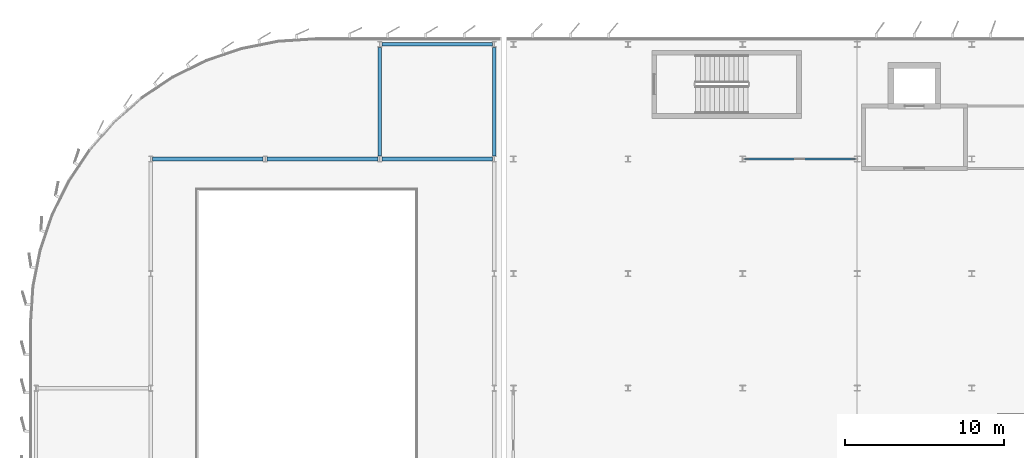
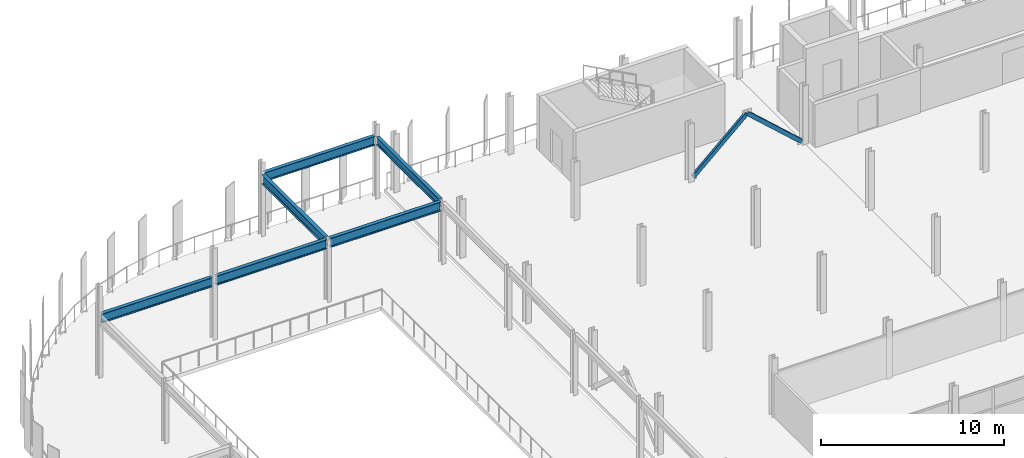
# One storey, part 14 of 40: 6 beams, 2 members.
"""IFC4 building model written with IfcOpenShell, lengths in metres."""

from ifc_helpers import new_model, si_unit, direction, frame, origin, origin_2d, place, context, subcontext, project, spatial, hollow_rectangle, i_section, extrude, material, material_profile, profile_set, type_object, element, save


model = new_model("IFC4")

# Units and contexts
model_context = context("Model", 3, precision=1e-05, world=origin(), true_north=direction((0.0, 1.0)))
body_context = subcontext(model_context, "Body", "Model", "MODEL_VIEW")
ifc_project = project(units=[si_unit("LENGTHUNIT", "METRE"), si_unit("AREAUNIT", "SQUARE_METRE"), si_unit("VOLUMEUNIT", "CUBIC_METRE"), si_unit("PLANEANGLEUNIT", "RADIAN"), si_unit("MASSUNIT", "GRAM", prefix="KILO")], contexts=[model_context])

# Site, building, storey
site_placement = place(None, origin())
site = spatial("IfcSite", under=ifc_project, at=site_placement, CompositionType="ELEMENT")
building_placement = place(site_placement, origin())
building = spatial("IfcBuilding", under=site, at=building_placement, Name="Vaelcorin Mobility Hub", CompositionType="ELEMENT")
storey_placement = place(building_placement, frame((0.0, 0.0, 17.10009765625)))
storey = spatial("IfcBuildingStorey", under=building, at=storey_placement, Name="L04", CompositionType="ELEMENT", Elevation=17.10009765625)

# Beams
ifc_material_1 = material(Name="Steel ASTM A992 Grade 50", Category="steel")
ifc_material_profile_1 = material_profile(ifc_material_1, i_section(OverallWidth=0.2099609375, OverallDepth=0.535888671875, WebThickness=0.010986328125, FlangeThickness=0.017333984375, FilletRadius=0.013916015625, at=origin_2d()), Name="W21X68")
ifc_profile_set_1 = profile_set([ifc_material_profile_1], Name="Steel ASTM A992 Grade 50")
beam_type_1 = type_object("IfcBeamType", Name="BM-W21X68", PredefinedType="SPANDREL", material=ifc_profile_set_1)
beam_1_placement = place(storey_placement, frame((34.800048828125, 112.97998046875, 3.8818359375), z_axis=(0.0, 1.0, 0.0), x_axis=(-1.0, 0.0, 0.0)))
element("IfcBeam", 1, at=beam_1_placement, inside=storey, type_object=beam_type_1, Name="L04 Beam V2W-L04-GY-05-06", PredefinedType="SPANDREL", context=body_context, shape_type="SweptSolid", body=[
    extrude(i_section(OverallWidth=0.2099609375, OverallDepth=0.535888671875, WebThickness=0.010986328125, FlangeThickness=0.017333984375, FilletRadius=0.013916015625, at=origin_2d()), origin(), (0.0, 0.0, 1.0), 6.840087890625),
])
ifc_material_profile_2 = material_profile(ifc_material_1, i_section(OverallWidth=0.22802734375, OverallDepth=0.60205078125, WebThickness=0.010498046875, FlangeThickness=0.014892578125, FilletRadius=0.014892578125, at=origin_2d()), Name="W24X68")
ifc_profile_set_2 = profile_set([ifc_material_profile_2], Name="Steel ASTM A992 Grade 50")
beam_type_2 = type_object("IfcBeamType", Name="BM-W24X68", PredefinedType="SPANDREL", material=ifc_profile_set_2)
beam_2_placement = place(storey_placement, frame((27.72607421875, 120.0, 3.848876953125), z_axis=(1.0, 0.0, 0.0), x_axis=(0.0, 1.0, 0.0)))
element("IfcBeam", 2, at=beam_2_placement, inside=storey, type_object=beam_type_2, Name="L04 Beam V2W-L04-GX-07-04", PredefinedType="SPANDREL", context=body_context, shape_type="SweptSolid", body=[
    extrude(i_section(OverallWidth=0.22802734375, OverallDepth=0.60205078125, WebThickness=0.010498046875, FlangeThickness=0.014892578125, FilletRadius=0.014892578125, at=origin_2d()), origin(), (0.0, 0.0, 1.0), 6.947998046875),
])
ifc_material_profile_3 = material_profile(ifc_material_1, i_section(OverallWidth=0.22900390625, OverallDepth=0.612060546875, WebThickness=0.011962890625, FlangeThickness=0.01953125, FilletRadius=0.014892578125, at=origin_2d()), Name="W24X84")
ifc_profile_set_3 = profile_set([ifc_material_profile_3], Name="Steel ASTM A992 Grade 50")
beam_type_3 = type_object("IfcBeamType", Name="BM-W24X84", PredefinedType="BEAM", material=ifc_profile_set_3)
beam_3_placement = place(storey_placement, frame((13.325927734375, 112.800048828125, 3.843994140625), z_axis=(1.0, 0.0, 0.0), x_axis=(0.0, 1.0, 0.0)))
element("IfcBeam", 3, at=beam_3_placement, inside=storey, type_object=beam_type_3, Name="L04 Beam V2W-L04-GX-06-02", PredefinedType="BEAM", context=body_context, shape_type="SweptSolid", body=[
    extrude(i_section(OverallWidth=0.22900390625, OverallDepth=0.612060546875, WebThickness=0.011962890625, FlangeThickness=0.01953125, FilletRadius=0.014892578125, at=origin_2d()), origin(), (0.0, 0.0, 1.0), 6.947998046875),
])
beam_4_placement = place(storey_placement, frame((20.52587890625, 112.800048828125, 3.843994140625), z_axis=(1.0, 0.0, 0.0), x_axis=(0.0, 1.0, 0.0)))
element("IfcBeam", 4, at=beam_4_placement, inside=storey, type_object=beam_type_3, Name="L04 Beam V2W-L04-GX-06-03", PredefinedType="BEAM", context=body_context, shape_type="SweptSolid", body=[
    extrude(i_section(OverallWidth=0.22900390625, OverallDepth=0.612060546875, WebThickness=0.011962890625, FlangeThickness=0.01953125, FilletRadius=0.014892578125, at=origin_2d()), origin(), (0.0, 0.0, 1.0), 6.9482421875),
])
beam_5_placement = place(storey_placement, frame((27.72607421875, 112.800048828125, 3.843994140625), z_axis=(1.0, 0.0, 0.0), x_axis=(0.0, 1.0, 0.0)))
element("IfcBeam", 5, at=beam_5_placement, inside=storey, type_object=beam_type_3, Name="L04 Beam V2W-L04-GX-06-04", PredefinedType="BEAM", context=body_context, shape_type="SweptSolid", body=[
    extrude(i_section(OverallWidth=0.22900390625, OverallDepth=0.612060546875, WebThickness=0.011962890625, FlangeThickness=0.01953125, FilletRadius=0.014892578125, at=origin_2d()), origin(), (0.0, 0.0, 1.0), 6.947998046875),
])
beam_6_placement = place(storey_placement, frame((27.60009765625, 112.97998046875, 3.843994140625), z_axis=(0.0, 1.0, 0.0), x_axis=(-1.0, 0.0, 0.0)))
element("IfcBeam", 6, at=beam_6_placement, inside=storey, type_object=beam_type_3, Name="L04 Beam V2W-L04-GY-04-06", PredefinedType="BEAM", context=body_context, shape_type="SweptSolid", body=[
    extrude(i_section(OverallWidth=0.22900390625, OverallDepth=0.612060546875, WebThickness=0.011962890625, FlangeThickness=0.01953125, FilletRadius=0.014892578125, at=origin_2d()), origin(), (0.0, 0.0, 1.0), 6.840087890625),
])

# Members
ifc_material_2 = material(Name="Steel ASTM A500 Grade C", Category="steel")
ifc_material_profile_4 = material_profile(ifc_material_2, hollow_rectangle(XDim=0.15234375, YDim=0.25390625, WallThickness=0.01171875, at=origin_2d()), Name="HSS10X6X0.500")
ifc_profile_set_4 = profile_set([ifc_material_profile_4], Name="Steel ASTM A500 Grade C")
member_type = type_object("IfcMemberType", Name="BR-SCBF-10X6", PredefinedType="BRACE", material=ifc_profile_set_4)
for number, where, z_axis, x_axis, name in (
    (7, (50.590087890625, 112.800048828125, 0.179931640625), (0.743169783144, 0.0, 0.669102887022), (0.0, 1.0, 0.0), "SCBF Chevron Brace V4-BX1-L04-A"),
    (8, (57.409912109375, 112.800048828125, 0.179931640625), (-0.743169783144, 0.0, 0.669102887022), (0.0, -1.0, 0.0), "SCBF Chevron Brace V4-BX1-L04-B"),
):
    element("IfcMember", number, at=place(storey_placement, frame(where, z_axis=z_axis, x_axis=x_axis)), inside=storey, type_object=member_type, Name=name, PredefinedType="BRACE", context=body_context, shape_type="SweptSolid", body=[
        extrude(hollow_rectangle(XDim=0.15234375, YDim=0.25390625, WallThickness=0.01171875, at=origin_2d()), origin(), (0.0, 0.0, 1.0), 4.58837890625),
    ])

save(model, "model.ifc")
